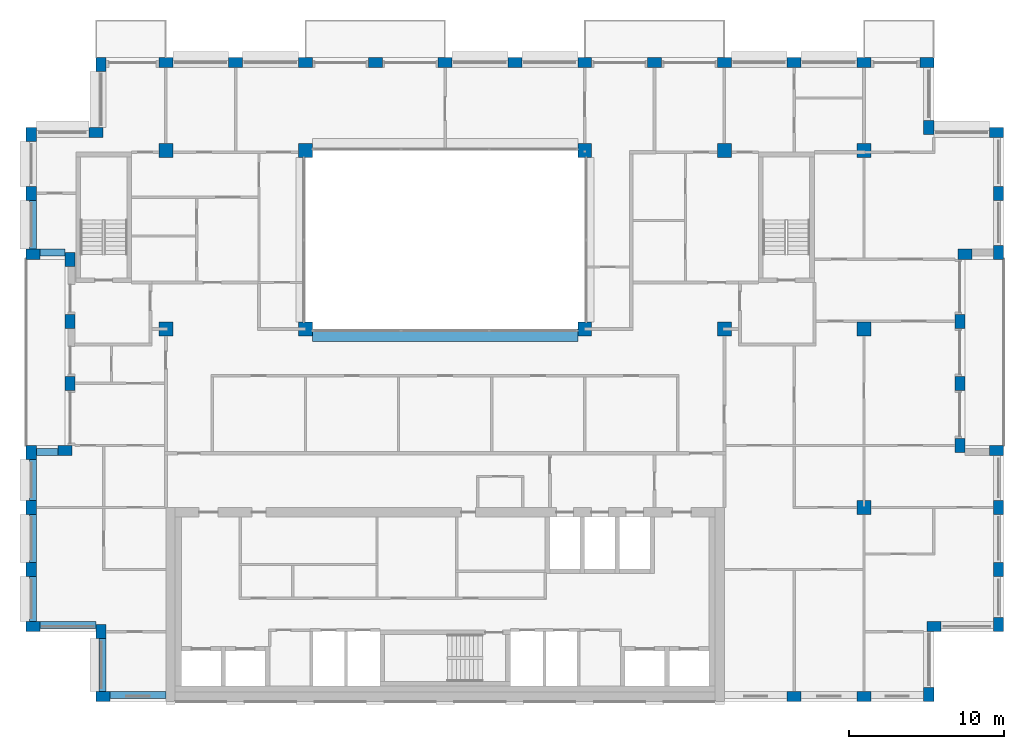
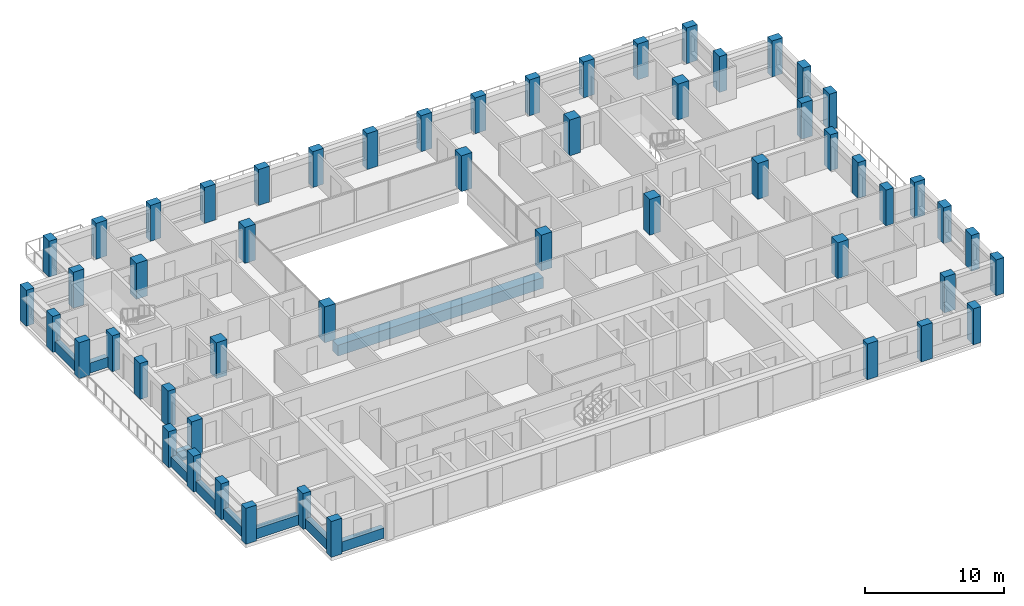
# One storey, part 1 of 16: 54 columns, 10 beams.
"""IFC4 building model written with IfcOpenShell, lengths in metres."""

from ifc_helpers import new_model, si_unit, direction, frame, origin, origin_2d, place, context, subcontext, project, spatial, rectangle, extrude, material, material_profile, profile_set, type_object, element, save


model = new_model("IFC4")

# Units and contexts
model_context = context("Model", 3, precision=1e-05, world=origin(), true_north=direction((0.0, 1.0)))
body_context = subcontext(model_context, "Body", "Model", "MODEL_VIEW")
ifc_project = project(units=[si_unit("LENGTHUNIT", "METRE"), si_unit("AREAUNIT", "SQUARE_METRE"), si_unit("VOLUMEUNIT", "CUBIC_METRE"), si_unit("PLANEANGLEUNIT", "RADIAN"), si_unit("MASSUNIT", "GRAM", prefix="KILO")], contexts=[model_context])

# Site, building, storey
site_placement = place(None, origin())
site = spatial("IfcSite", under=ifc_project, at=site_placement, CompositionType="ELEMENT")
building_placement = place(site_placement, origin())
building = spatial("IfcBuilding", under=site, at=building_placement, Name="Brigalow Station Residences", CompositionType="ELEMENT")
storey_placement = place(building_placement, frame((0.0, 0.0, 198.0)))
storey = spatial("IfcBuildingStorey", under=building, at=storey_placement, Name="L56", CompositionType="ELEMENT", Elevation=198.0)

# Columns
ifc_material_1 = material(Name="Concrete C50", Category="concrete")
ifc_material_profile_1 = material_profile(ifc_material_1, rectangle(XDim=0.89990234375, YDim=0.89990234375, at=origin_2d()), Name="RC900x900")
ifc_profile_set_1 = profile_set([ifc_material_profile_1], Name="Concrete C50")
column_type_1 = type_object("IfcColumnType", Name="COLUMN 900x900 C50", PredefinedType="COLUMN", material=ifc_profile_set_1)
for number, where, z_axis, x_axis, name in (
    (1, (18.0, 24.0, 0.0), (0.0, 0.0, 1.0), (1.0, 0.0, 0.0), "COLUMN C2 L56"),
    (2, (27.0, 24.0, 0.0), (0.0, 0.0, 1.0), (1.0, 0.0, 0.0), "COLUMN C3 L56"),
    (3, (45.0, 24.0, 0.0), (0.0, 0.0, 1.0), (1.0, 0.0, 0.0), "COLUMN C5 L56"),
    (4, (54.0, 24.0, 0.0), (0.0, 0.0, 1.0), (1.0, 0.0, 0.0), "COLUMN C6 L56"),
    (5, (63.0, 24.0, 0.0), (0.0, 0.0, 1.0), (1.0, 0.0, 0.0), "COLUMN C7 L56"),
    (6, (18.0, 35.5, 0.0), (0.0, 0.0, 1.0), (1.0, 0.0, 0.0), "COLUMN D2 L56"),
    (7, (27.0, 35.5, 0.0), (0.0, 0.0, 1.0), (1.0, 0.0, 0.0), "COLUMN D3 L56"),
    (8, (45.0, 35.5, 0.0), (0.0, 0.0, 1.0), (1.0, 0.0, 0.0), "COLUMN D5 L56"),
    (9, (54.0, 35.5, 0.0), (0.0, 0.0, 1.0), (1.0, 0.0, 0.0), "COLUMN D6 L56"),
    (10, (63.0, 35.5, 0.0), (0.0, 0.0, 1.0), (1.0, 0.0, 0.0), "COLUMN D7 L56"),
    (11, (63.0, 12.5, 0.0), (0.0, 0.0, 1.0), (1.0, 0.0, 0.0), "COLUMN B7 L56"),
):
    element("IfcColumn", number, at=place(storey_placement, frame(where, z_axis=z_axis, x_axis=x_axis)), inside=storey, type_object=column_type_1, Name=name, PredefinedType="COLUMN", context=body_context, shape_type="SweptSolid", body=[
        extrude(rectangle(XDim=0.89990234375, YDim=0.89990234375, at=origin_2d()), origin(), (0.0, 0.0, 1.0), 3.14990234375),
    ])
ifc_material_2 = material(Name="Concrete C50", Category="concrete")
ifc_material_profile_2 = material_profile(ifc_material_2, rectangle(XDim=0.89990234375, YDim=0.64990234375, at=origin_2d()), Name="RC900x650")
ifc_profile_set_2 = profile_set([ifc_material_profile_2], Name="Concrete C50")
column_type_2 = type_object("IfcColumnType", Name="PIER 900x650 C50", PredefinedType="USERDEFINED", material=ifc_profile_set_2)
for number, where, z_axis, x_axis, name in (
    (12, (13.949951171875, 0.324951171875, 0.0), (0.0, 0.0, 1.0), (1.0, 0.0, 0.0), "PIER S-1 L56"),
    (13, (58.5, 0.324951171875, 0.0), (0.0, 0.0, 1.0), (1.0, 0.0, 0.0), "PIER S-11 L56"),
    (14, (63.0, 0.324951171875, 0.0), (0.0, 0.0, 1.0), (1.0, 0.0, 0.0), "PIER S-12 L56"),
    (15, (67.175048828125, 0.449951171875, 0.0), (0.0, 0.0, 1.0), (0.0, 1.0, 0.0), "PIER SE1-1 L56"),
    (16, (67.5, 4.824951171875, 0.0), (0.0, 0.0, 1.0), (1.0, 0.0, 0.0), "PIER SE2-1 L56"),
    (17, (71.675048828125, 4.949951171875, 0.0), (0.0, 0.0, 1.0), (0.0, 1.0, 0.0), "PIER E1-1 L56"),
    (18, (71.675048828125, 8.5, 0.0), (0.0, 0.0, 1.0), (0.0, 1.0, 0.0), "PIER E1-2 L56"),
    (19, (71.675048828125, 12.5, 0.0), (0.0, 0.0, 1.0), (0.0, 1.0, 0.0), "PIER E1-3 L56"),
    (20, (71.550048828125, 16.175048828125, 0.0), (0.0, 0.0, 1.0), (-1.0, 0.0, 0.0), "PIER EL1-1 L56"),
    (21, (69.175048828125, 16.5, 0.0), (0.0, 0.0, 1.0), (0.0, 1.0, 0.0), "PIER EL2-1 L56"),
    (22, (69.175048828125, 20.5, 0.0), (0.0, 0.0, 1.0), (0.0, 1.0, 0.0), "PIER EL2-2 L56"),
    (23, (69.175048828125, 24.5, 0.0), (0.0, 0.0, 1.0), (0.0, 1.0, 0.0), "PIER EL2-3 L56"),
    (24, (69.5, 28.824951171875, 0.0), (0.0, 0.0, 1.0), (1.0, 0.0, 0.0), "PIER EL3-1 L56"),
    (25, (71.675048828125, 28.949951171875, 0.0), (0.0, 0.0, 1.0), (0.0, 1.0, 0.0), "PIER E2-1 L56"),
    (26, (71.675048828125, 32.75, 0.0), (0.0, 0.0, 1.0), (0.0, 1.0, 0.0), "PIER E2-2 L56"),
    (27, (71.550048828125, 36.675048828125, 0.0), (0.0, 0.0, 1.0), (-1.0, 0.0, 0.0), "PIER NE1-1 L56"),
    (28, (67.175048828125, 37.0, 0.0), (0.0, 0.0, 1.0), (0.0, 1.0, 0.0), "PIER NE2-1 L56"),
    (29, (67.050048828125, 41.175048828125, 0.0), (0.0, 0.0, 1.0), (-1.0, 0.0, 0.0), "PIER N-1 L56"),
    (30, (63.0, 41.175048828125, 0.0), (0.0, 0.0, 1.0), (-1.0, 0.0, 0.0), "PIER N-2 L56"),
    (31, (58.5, 41.175048828125, 0.0), (0.0, 0.0, 1.0), (-1.0, 0.0, 0.0), "PIER N-3 L56"),
    (32, (54.0, 41.175048828125, 0.0), (0.0, 0.0, 1.0), (-1.0, 0.0, 0.0), "PIER N-4 L56"),
    (33, (49.5, 41.175048828125, 0.0), (0.0, 0.0, 1.0), (-1.0, 0.0, 0.0), "PIER N-5 L56"),
    (34, (45.0, 41.175048828125, 0.0), (0.0, 0.0, 1.0), (-1.0, 0.0, 0.0), "PIER N-6 L56"),
    (35, (40.5, 41.175048828125, 0.0), (0.0, 0.0, 1.0), (-1.0, 0.0, 0.0), "PIER N-7 L56"),
    (36, (36.0, 41.175048828125, 0.0), (0.0, 0.0, 1.0), (-1.0, 0.0, 0.0), "PIER N-8 L56"),
    (37, (31.5, 41.175048828125, 0.0), (0.0, 0.0, 1.0), (-1.0, 0.0, 0.0), "PIER N-9 L56"),
    (38, (27.0, 41.175048828125, 0.0), (0.0, 0.0, 1.0), (-1.0, 0.0, 0.0), "PIER N-10 L56"),
    (39, (22.5, 41.175048828125, 0.0), (0.0, 0.0, 1.0), (-1.0, 0.0, 0.0), "PIER N-11 L56"),
    (40, (18.0, 41.175048828125, 0.0), (0.0, 0.0, 1.0), (-1.0, 0.0, 0.0), "PIER N-12 L56"),
    (41, (13.824951171875, 41.050048828125, 0.0), (0.0, 0.0, 1.0), (0.0, -1.0, 0.0), "PIER NW1-1 L56"),
    (42, (13.5, 36.675048828125, 0.0), (0.0, 0.0, 1.0), (-1.0, 0.0, 0.0), "PIER NW2-1 L56"),
    (43, (9.324951171875, 36.550048828125, 0.0), (0.0, 0.0, 1.0), (0.0, -1.0, 0.0), "PIER W2-1 L56"),
    (44, (9.324951171875, 32.75, 0.0), (0.0, 0.0, 1.0), (0.0, -1.0, 0.0), "PIER W2-2 L56"),
    (45, (9.449951171875, 28.824951171875, 0.0), (0.0, 0.0, 1.0), (1.0, 0.0, 0.0), "PIER WL1-1 L56"),
    (46, (11.824951171875, 28.5, 0.0), (0.0, 0.0, 1.0), (0.0, -1.0, 0.0), "PIER WL2-1 L56"),
    (47, (11.824951171875, 24.5, 0.0), (0.0, 0.0, 1.0), (0.0, -1.0, 0.0), "PIER WL2-2 L56"),
    (48, (11.824951171875, 20.5, 0.0), (0.0, 0.0, 1.0), (0.0, -1.0, 0.0), "PIER WL2-3 L56"),
    (49, (11.5, 16.175048828125, 0.0), (0.0, 0.0, 1.0), (-1.0, 0.0, 0.0), "PIER WL3-1 L56"),
    (50, (9.324951171875, 16.050048828125, 0.0), (0.0, 0.0, 1.0), (0.0, -1.0, 0.0), "PIER W1-1 L56"),
    (51, (9.324951171875, 12.5, 0.0), (0.0, 0.0, 1.0), (0.0, -1.0, 0.0), "PIER W1-2 L56"),
    (52, (9.324951171875, 8.5, 0.0), (0.0, 0.0, 1.0), (0.0, -1.0, 0.0), "PIER W1-3 L56"),
    (53, (9.449951171875, 4.824951171875, 0.0), (0.0, 0.0, 1.0), (1.0, 0.0, 0.0), "PIER SW1-1 L56"),
    (54, (13.824951171875, 4.5, 0.0), (0.0, 0.0, 1.0), (0.0, -1.0, 0.0), "PIER SW2-1 L56"),
):
    element("IfcColumn", number, at=place(storey_placement, frame(where, z_axis=z_axis, x_axis=x_axis)), inside=storey, type_object=column_type_2, Name=name, ObjectType="PIER", PredefinedType="USERDEFINED", context=body_context, shape_type="SweptSolid", body=[
        extrude(rectangle(XDim=0.89990234375, YDim=0.64990234375, at=origin_2d()), origin(), (0.0, 0.0, 1.0), 3.14990234375),
    ])

# Beams
ifc_material_3 = material(Name="Concrete C65", Category="concrete")
ifc_material_profile_3 = material_profile(ifc_material_3, rectangle(XDim=0.800048828125, YDim=0.949951171875, at=origin_2d()), Name="RC800x950")
ifc_profile_set_3 = profile_set([ifc_material_profile_3], Name="Concrete C65")
beam_type_1 = type_object("IfcBeamType", Name="ATRIUM EDGE GIRDER OVER 13.5 M SPAN 800x950 C65", PredefinedType="BEAM", material=ifc_profile_set_3)
beam_1_placement = place(storey_placement, frame((27.449951171875, 23.60009765625, -0.794921875), z_axis=(1.0, 0.0, 0.0), x_axis=(0.0, 1.0, 0.0)))
element("IfcBeam", 55, at=beam_1_placement, inside=storey, type_object=beam_type_1, Name="ATRIUM EDGE GIRDER C L56", PredefinedType="BEAM", context=body_context, shape_type="SweptSolid", body=[
    extrude(rectangle(XDim=0.800048828125, YDim=0.949951171875, at=origin_2d()), origin(), (0.0, 0.0, 1.0), 17.10009765625),
])
ifc_material_4 = material(Name="Concrete C50", Category="concrete")
ifc_material_profile_4 = material_profile(ifc_material_4, rectangle(XDim=0.449951171875, YDim=0.89990234375, at=origin_2d()), Name="RC450x900")
ifc_profile_set_4 = profile_set([ifc_material_profile_4], Name="Concrete C50")
beam_type_2 = type_object("IfcBeamType", Name="SPANDREL BEAM 450x900 C50", PredefinedType="SPANDREL", material=ifc_profile_set_4)
beam_2_placement = place(storey_placement, frame((14.39990234375, 0.425048828125, 0.449951171875), z_axis=(1.0, 0.0, 0.0), x_axis=(0.0, 1.0, 0.0)))
element("IfcBeam", 56, at=beam_2_placement, inside=storey, type_object=beam_type_2, Name="L56/spandrel/W-L56-1", PredefinedType="SPANDREL", context=body_context, shape_type="SweptSolid", body=[
    extrude(rectangle(XDim=0.449951171875, YDim=0.89990234375, at=origin_2d()), origin(), (0.0, 0.0, 1.0), 3.60009765625),
])
beam_3_placement = place(storey_placement, frame((9.425048828125, 32.300048828125, 0.449951171875), z_axis=(0.0, -1.0, 0.0), x_axis=(1.0, 0.0, 0.0)))
element("IfcBeam", 57, at=beam_3_placement, inside=storey, type_object=beam_type_2, Name="L56/spandrel/W-L56-35", PredefinedType="SPANDREL", context=body_context, shape_type="SweptSolid", body=[
    extrude(rectangle(XDim=0.449951171875, YDim=0.89990234375, at=origin_2d()), origin(), (0.0, 0.0, 1.0), 3.150146484375),
])
beam_4_placement = place(storey_placement, frame((9.89990234375, 28.925048828125, 0.449951171875), z_axis=(1.0, 0.0, 0.0), x_axis=(0.0, 1.0, 0.0)))
element("IfcBeam", 58, at=beam_4_placement, inside=storey, type_object=beam_type_2, Name="L56/spandrel/W-L56-36", PredefinedType="SPANDREL", context=body_context, shape_type="SweptSolid", body=[
    extrude(rectangle(XDim=0.449951171875, YDim=0.89990234375, at=origin_2d()), origin(), (0.0, 0.0, 1.0), 1.60009765625),
])
beam_5_placement = place(storey_placement, frame((11.050048828125, 16.074951171875, 0.449951171875), z_axis=(-1.0, 0.0, 0.0), x_axis=(0.0, -1.0, 0.0)))
element("IfcBeam", 59, at=beam_5_placement, inside=storey, type_object=beam_type_2, Name="L56/spandrel/W-L56-40", PredefinedType="SPANDREL", context=body_context, shape_type="SweptSolid", body=[
    extrude(rectangle(XDim=0.449951171875, YDim=0.89990234375, at=origin_2d()), origin(), (0.0, 0.0, 1.0), 1.400146484375),
])
beam_6_placement = place(storey_placement, frame((9.425048828125, 15.60009765625, 0.449951171875), z_axis=(0.0, -1.0, 0.0), x_axis=(1.0, 0.0, 0.0)))
element("IfcBeam", 60, at=beam_6_placement, inside=storey, type_object=beam_type_2, Name="L56/spandrel/W-L56-41", PredefinedType="SPANDREL", context=body_context, shape_type="SweptSolid", body=[
    extrude(rectangle(XDim=0.449951171875, YDim=0.89990234375, at=origin_2d()), origin(), (0.0, 0.0, 1.0), 2.650146484375),
])
beam_7_placement = place(storey_placement, frame((9.425048828125, 12.050048828125, 0.449951171875), z_axis=(0.0, -1.0, 0.0), x_axis=(1.0, 0.0, 0.0)))
element("IfcBeam", 61, at=beam_7_placement, inside=storey, type_object=beam_type_2, Name="L56/spandrel/W-L56-42", PredefinedType="SPANDREL", context=body_context, shape_type="SweptSolid", body=[
    extrude(rectangle(XDim=0.449951171875, YDim=0.89990234375, at=origin_2d()), origin(), (0.0, 0.0, 1.0), 3.10009765625),
])
beam_8_placement = place(storey_placement, frame((9.425048828125, 8.050048828125, 0.449951171875), z_axis=(0.0, -1.0, 0.0), x_axis=(1.0, 0.0, 0.0)))
element("IfcBeam", 62, at=beam_8_placement, inside=storey, type_object=beam_type_2, Name="L56/spandrel/W-L56-43", PredefinedType="SPANDREL", context=body_context, shape_type="SweptSolid", body=[
    extrude(rectangle(XDim=0.449951171875, YDim=0.89990234375, at=origin_2d()), origin(), (0.0, 0.0, 1.0), 2.900146484375),
])
beam_9_placement = place(storey_placement, frame((9.89990234375, 4.925048828125, 0.449951171875), z_axis=(1.0, 0.0, 0.0), x_axis=(0.0, 1.0, 0.0)))
element("IfcBeam", 63, at=beam_9_placement, inside=storey, type_object=beam_type_2, Name="L56/spandrel/W-L56-44", PredefinedType="SPANDREL", context=body_context, shape_type="SweptSolid", body=[
    extrude(rectangle(XDim=0.449951171875, YDim=0.89990234375, at=origin_2d()), origin(), (0.0, 0.0, 1.0), 3.60009765625),
])
beam_10_placement = place(storey_placement, frame((13.925048828125, 4.050048828125, 0.449951171875), z_axis=(0.0, -1.0, 0.0), x_axis=(1.0, 0.0, 0.0)))
element("IfcBeam", 64, at=beam_10_placement, inside=storey, type_object=beam_type_2, Name="L56/spandrel/W-L56-45", PredefinedType="SPANDREL", context=body_context, shape_type="SweptSolid", body=[
    extrude(rectangle(XDim=0.449951171875, YDim=0.89990234375, at=origin_2d()), origin(), (0.0, 0.0, 1.0), 3.400146484375),
])

save(model, "model.ifc")
